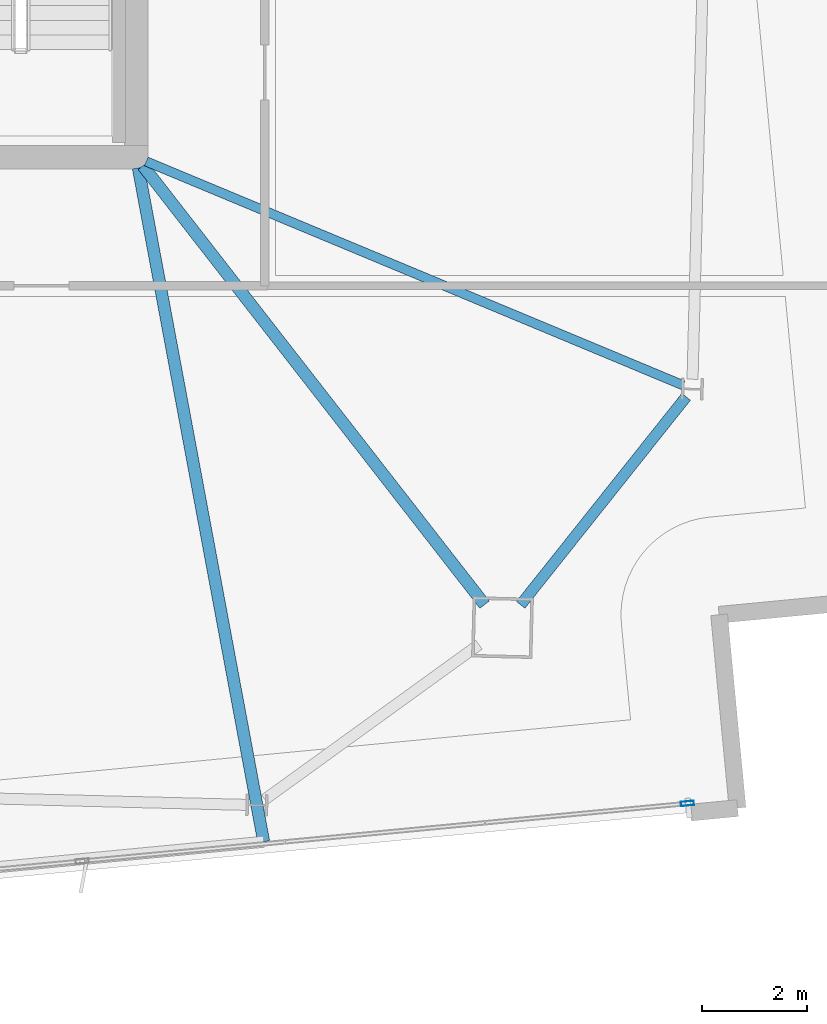
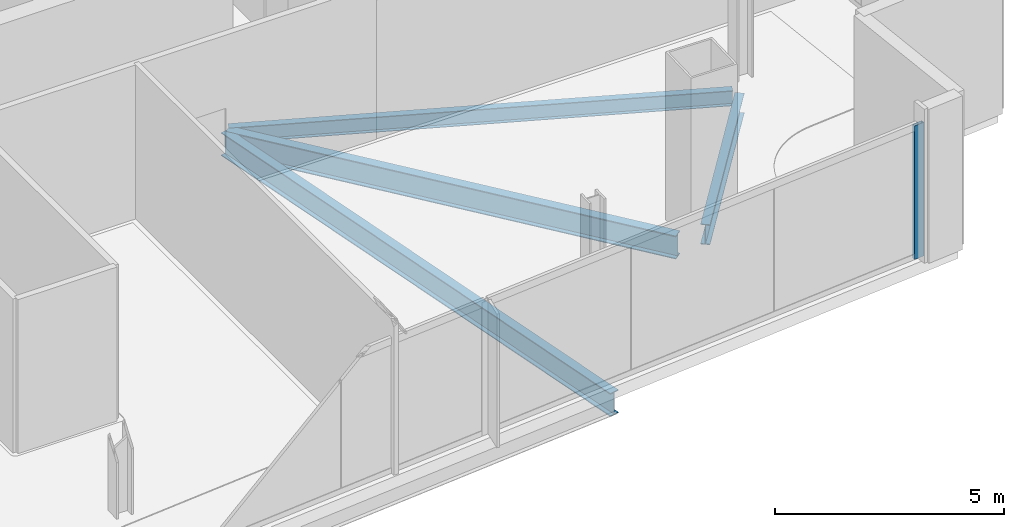
# One storey, part 8 of 24: 4 beams, 1 member, 1 element without a shape of its own.
"""IFC4 building model written with IfcOpenShell, lengths in metres."""

from ifc_helpers import new_model, si_unit, direction, frame, origin, origin_2d, place, context, subcontext, project, spatial, hollow_rectangle, i_section, extrude, material, material_profile, profile_set, type_object, element, aggregate, save


model = new_model("IFC4")

# Units and contexts
model_context = context("Model", 3, precision=1e-05, world=origin(), true_north=direction((0.0, 1.0)))
body_context = subcontext(model_context, "Body", "Model", "MODEL_VIEW")
ifc_project = project(units=[si_unit("LENGTHUNIT", "METRE"), si_unit("AREAUNIT", "SQUARE_METRE"), si_unit("VOLUMEUNIT", "CUBIC_METRE"), si_unit("PLANEANGLEUNIT", "RADIAN"), si_unit("MASSUNIT", "GRAM", prefix="KILO")], contexts=[model_context])

# Site, building, storey
site_placement = place(None, origin())
site = spatial("IfcSite", under=ifc_project, at=site_placement, CompositionType="ELEMENT")
building_placement = place(site_placement, origin())
building = spatial("IfcBuilding", under=site, at=building_placement, Name="Haldenkirk Collegiate Tower", CompositionType="ELEMENT")
storey_placement = place(building_placement, frame((0.0, 0.0, 347.699951171875)))
storey = spatial("IfcBuildingStorey", under=building, at=storey_placement, Name="L88", CompositionType="ELEMENT", Elevation=347.699951171875)

# Beams
ifc_material_1 = material(Name="Steel ASTM A992 Grade 50", Category="steel")
ifc_material_profile_1 = material_profile(ifc_material_1, i_section(OverallWidth=0.22998046875, OverallDepth=0.616943359375, WebThickness=0.01318359375, FlangeThickness=0.022216796875, at=origin_2d()), Name="W24X94")
ifc_profile_set_1 = profile_set([ifc_material_profile_1], Name="Steel ASTM A992 Grade 50")
beam_type_1 = type_object("IfcBeamType", Name="BM-GIRDER-W24X94", PredefinedType="BEAM", material=ifc_profile_set_1)
beam_1_placement = place(storey_placement, frame((51.635009765625, 9.478271484375, -0.62841796875), z_axis=(-0.614347328176, 0.789035715518, 0.0), x_axis=(-0.789035715518, -0.614347328176, 0.0)))
element("IfcBeam", 1, at=beam_1_placement, inside=storey, type_object=beam_type_1, Name="L88 primary floor girder 01", PredefinedType="BEAM", context=body_context, shape_type="SweptSolid", body=[
    extrude(i_section(OverallWidth=0.22998046875, OverallDepth=0.616943359375, WebThickness=0.01318359375, FlangeThickness=0.022216796875, at=origin_2d()), origin(), (0.0, 0.0, 1.0), 10.594970703125),
])
beam_2_placement = place(storey_placement, frame((47.4267578125, 4.960205078125, -0.62841796875), z_axis=(-0.18295414165, 0.983121448272, 0.0), x_axis=(-0.983121448272, -0.18295414165, 0.0)))
element("IfcBeam", 2, at=beam_2_placement, inside=storey, type_object=beam_type_1, Name="L88 primary floor girder 16", PredefinedType="BEAM", context=body_context, shape_type="SweptSolid", body=[
    extrude(i_section(OverallWidth=0.22998046875, OverallDepth=0.616943359375, WebThickness=0.01318359375, FlangeThickness=0.022216796875, at=origin_2d()), origin(), (0.0, 0.0, 1.0), 13.058837890625),
])
ifc_material_profile_2 = material_profile(ifc_material_1, i_section(OverallWidth=0.177978515625, OverallDepth=0.406005859375, WebThickness=0.0078125, FlangeThickness=0.0126953125, at=origin_2d()), Name="W16X40")
ifc_profile_set_2 = profile_set([ifc_material_profile_2], Name="Steel ASTM A992 Grade 50")
beam_type_2 = type_object("IfcBeamType", Name="BM-JOIST-W16X40", PredefinedType="JOIST", material=ifc_profile_set_2)
beam_3_placement = place(storey_placement, frame((55.418701171875, 13.656494140625, -0.52294921875), z_axis=(-0.923001303889, 0.384796820438, 0.0), x_axis=(-0.384796820438, -0.923001303889, 0.0)))
element("IfcBeam", 3, at=beam_3_placement, inside=storey, type_object=beam_type_2, Name="L88 composite floor joist 05", PredefinedType="JOIST", context=body_context, shape_type="SweptSolid", body=[
    extrude(i_section(OverallWidth=0.177978515625, OverallDepth=0.406005859375, WebThickness=0.0078125, FlangeThickness=0.0126953125, at=origin_2d()), origin(), (0.0, 0.0, 1.0), 11.082763671875),
])
ifc_material_profile_3 = material_profile(ifc_material_1, i_section(OverallWidth=0.2099609375, OverallDepth=0.537109375, WebThickness=0.010986328125, FlangeThickness=0.017333984375, at=origin_2d()), Name="W21X68")
ifc_profile_set_3 = profile_set([ifc_material_profile_3], Name="Steel ASTM A992 Grade 50")
beam_type_3 = type_object("IfcBeamType", Name="BM-SPANDREL-W21X68", PredefinedType="SPANDREL", material=ifc_profile_set_3)
beam_4_placement = place(storey_placement, frame((52.321533203125, 9.474609375, -0.58837890625), z_axis=(0.622700032294, 0.782460650628, 0.0), x_axis=(-0.782460650628, 0.622700032294, 0.0)))
element("IfcBeam", 4, at=beam_4_placement, inside=storey, type_object=beam_type_3, Name="L88 perimeter spandrel beam 01", PredefinedType="SPANDREL", context=body_context, shape_type="SweptSolid", body=[
    extrude(i_section(OverallWidth=0.2099609375, OverallDepth=0.537109375, WebThickness=0.010986328125, FlangeThickness=0.017333984375, at=origin_2d()), origin(), (0.0, 0.0, 1.0), 5.064453125),
])

# Curtain wall, member
ifc_material_2 = material(Name="Anodised architectural bronze aluminium", Category="aluminium")
curtain_wall_type = type_object("IfcCurtainWallType", Name="CW-SYS1B-CONVEX-HI", PredefinedType="USERDEFINED", material=ifc_material_2)
curtain_wall_placement = place(storey_placement, origin())
curtain_wall = element("IfcCurtainWall", 5, at=curtain_wall_placement, inside=storey, type_object=curtain_wall_type, Name="L88 Upper tower high-wind convex bronze unitised curtain wall", ObjectType="UNITISED CURTAIN WALL", PredefinedType="USERDEFINED")
ifc_material_profile_4 = material_profile(ifc_material_2, hollow_rectangle(XDim=0.0849609375, YDim=0.25, WallThickness=0.0048828125, at=origin_2d()), Name="CW-MUL-1B")
ifc_profile_set_4 = profile_set([ifc_material_profile_4], Name="Anodised architectural bronze aluminium")
member_type = type_object("IfcMemberType", Name="CW-MUL-1B", PredefinedType="MULLION", material=ifc_profile_set_4)
member_placement = place(storey_placement, frame((55.49951171875, 5.690185546875, 0.0), z_axis=(0.0, 0.0, 1.0), x_axis=(0.094973363212, -0.9954798141, 0.0)))
member = element("IfcMember", 6, at=member_placement, type_object=member_type, Name="CW-1B mullion 1", PredefinedType="MULLION", context=body_context, shape_type="SweptSolid", body=[
    extrude(hollow_rectangle(XDim=0.0849609375, YDim=0.25, WallThickness=0.0048828125, at=origin_2d()), origin(), (0.0, 0.0, 1.0), 3.55810546875),
])
aggregate(curtain_wall, [member])

save(model, "model.ifc")
